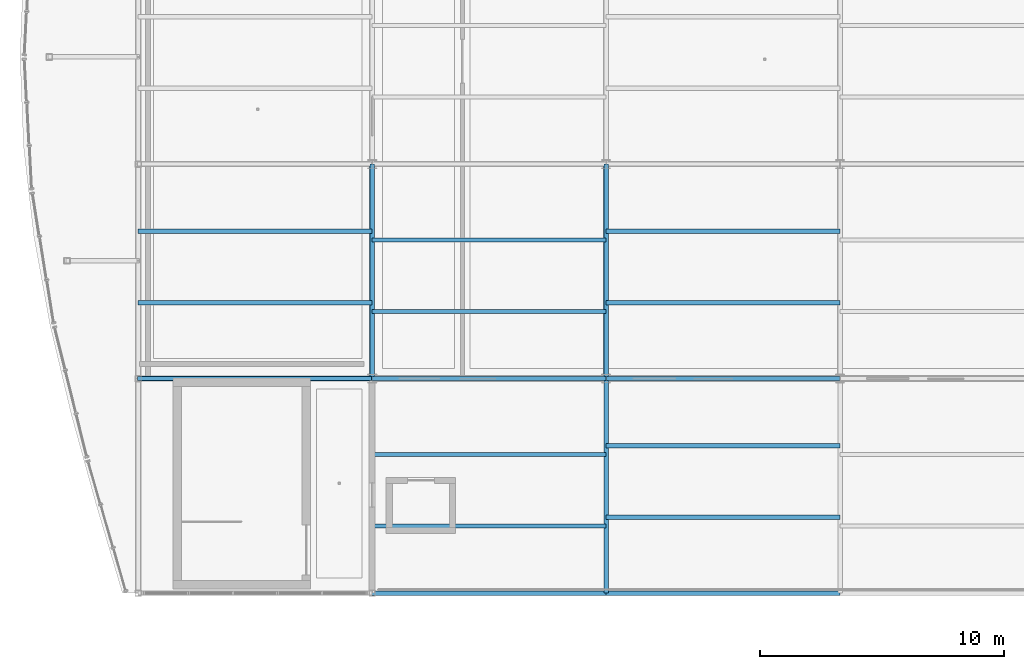
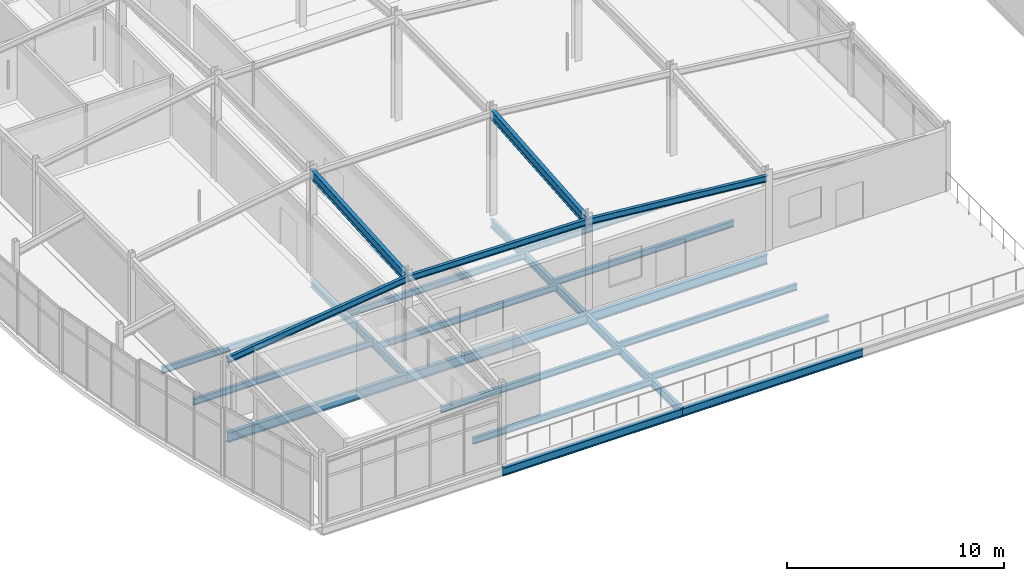
# One storey, part 18 of 114: 20 beams, 3 members.
"""IFC4 building model written with IfcOpenShell, lengths in metres."""

from ifc_helpers import new_model, si_unit, direction, frame, origin, origin_2d, place, context, subcontext, project, spatial, i_section, extrude, material, material_profile, profile_set, type_object, element, save


model = new_model("IFC4")

# Units and contexts
model_context = context("Model", 3, precision=1e-05, world=origin(), true_north=direction((0.0, 1.0)))
body_context = subcontext(model_context, "Body", "Model", "MODEL_VIEW")
ifc_project = project(units=[si_unit("LENGTHUNIT", "METRE"), si_unit("AREAUNIT", "SQUARE_METRE"), si_unit("VOLUMEUNIT", "CUBIC_METRE"), si_unit("PLANEANGLEUNIT", "RADIAN"), si_unit("MASSUNIT", "GRAM", prefix="KILO")], contexts=[model_context])

# Site, building, storey
site_placement = place(None, origin())
site = spatial("IfcSite", under=ifc_project, at=site_placement, CompositionType="ELEMENT")
building_placement = place(site_placement, origin())
building = spatial("IfcBuilding", under=site, at=building_placement, Name="Chalmorin Arch Market", CompositionType="ELEMENT")
storey_placement = place(building_placement, frame((0.0, 0.0, 9.60009765625)))
storey = spatial("IfcBuildingStorey", under=building, at=storey_placement, Name="L02", CompositionType="ELEMENT", Elevation=9.60009765625)

# Beams
ifc_material = material(Name="Steel A992 Grade 50", Category="steel")
ifc_material_profile_1 = material_profile(ifc_material, i_section(OverallWidth=0.19091796875, OverallDepth=0.45703125, WebThickness=0.009033203125, FlangeThickness=0.014404296875, FilletRadius=0.02001953125, at=origin_2d()), Name="W18X50")
ifc_profile_set_1 = profile_set([ifc_material_profile_1], Name="Steel A992 Grade 50")
beam_type_1 = type_object("IfcBeamType", Name="FloorSteelBeam-W18X50", PredefinedType="BEAM", material=ifc_profile_set_1)
for number, where, z_axis, x_axis, name in (
    (1, (9.60009765625, 14.800048828125, -0.490478515625), (0.0, 1.0, 0.0), (-1.0, 0.0, 0.0), "BM-W18B-1140"),
    (2, (19.199951171875, 6.0, -0.490478515625), (0.0, 1.0, 0.0), (-1.0, 0.0, 0.0), "BM-W18B-1152"),
    (3, (19.199951171875, 14.800048828125, -0.490478515625), (0.0, 1.0, 0.0), (-1.0, 0.0, 0.0), "BM-W18B-1154"),
):
    element("IfcBeam", number, at=place(storey_placement, frame(where, z_axis=z_axis, x_axis=x_axis)), inside=storey, type_object=beam_type_1, Name=name, PredefinedType="BEAM", context=body_context, shape_type="SweptSolid", body=[
        extrude(i_section(OverallWidth=0.19091796875, OverallDepth=0.45703125, WebThickness=0.009033203125, FlangeThickness=0.014404296875, FilletRadius=0.02001953125, at=origin_2d()), origin(), (0.0, 0.0, 1.0), 8.800048828125),
    ])
ifc_material_profile_2 = material_profile(ifc_material, i_section(OverallWidth=0.19091796875, OverallDepth=0.45703125, WebThickness=0.009033203125, FlangeThickness=0.014404296875, FilletRadius=0.02001953125, at=origin_2d()), Name="W18X50")
ifc_profile_set_2 = profile_set([ifc_material_profile_2], Name="Steel A992 Grade 50")
beam_type_2 = type_object("IfcBeamType", Name="PerimeterSpandrelBeam-W18X50", PredefinedType="SPANDREL", material=ifc_profile_set_2)
beam_1_placement = place(storey_placement, frame((9.60009765625, 6.0, -0.490478515625), z_axis=(1.0, 0.0, 0.0), x_axis=(0.0, 1.0, 0.0)))
element("IfcBeam", 4, at=beam_1_placement, inside=storey, type_object=beam_type_2, Name="SP-W18-1150", PredefinedType="SPANDREL", context=body_context, shape_type="SweptSolid", body=[
    extrude(i_section(OverallWidth=0.19091796875, OverallDepth=0.45703125, WebThickness=0.009033203125, FlangeThickness=0.014404296875, FilletRadius=0.02001953125, at=origin_2d()), origin(), (0.0, 0.0, 1.0), 9.599853515625),
])
beam_2_placement = place(storey_placement, frame((19.199951171875, 6.0, -0.490478515625), z_axis=(1.0, 0.0, 0.0), x_axis=(0.0, 1.0, 0.0)))
element("IfcBeam", 5, at=beam_2_placement, inside=storey, type_object=beam_type_2, Name="SP-W18-1161", PredefinedType="SPANDREL", context=body_context, shape_type="SweptSolid", body=[
    extrude(i_section(OverallWidth=0.19091796875, OverallDepth=0.45703125, WebThickness=0.009033203125, FlangeThickness=0.014404296875, FilletRadius=0.02001953125, at=origin_2d()), origin(), (0.0, 0.0, 1.0), 9.60009765625),
])
ifc_material_profile_3 = material_profile(ifc_material, i_section(OverallWidth=0.208984375, OverallDepth=0.532958984375, WebThickness=0.01025390625, FlangeThickness=0.015625, FilletRadius=0.02197265625, at=origin_2d()), Name="W21X62")
ifc_profile_set_3 = profile_set([ifc_material_profile_3], Name="Steel A992 Grade 50")
beam_type_3 = type_object("IfcBeamType", Name="PrimarySteelGirder-W21X62", PredefinedType="BEAM", material=ifc_profile_set_3)
beam_3_placement = place(storey_placement, frame((9.60009765625, 14.800048828125, 5.0888671875), z_axis=(0.0, 0.997774120611, 0.066684362784), x_axis=(-1.0, 0.0, 0.0)))
element("IfcBeam", 6, at=beam_3_placement, inside=storey, type_object=beam_type_3, Name="BG-W21B-1529", PredefinedType="BEAM", context=body_context, shape_type="SweptSolid", body=[
    extrude(i_section(OverallWidth=0.208984375, OverallDepth=0.532958984375, WebThickness=0.01025390625, FlangeThickness=0.015625, FilletRadius=0.02197265625, at=origin_2d()), origin(), (0.0, 0.0, 1.0), 8.819580078125),
])
beam_4_placement = place(storey_placement, frame((19.199951171875, 14.800048828125, 4.94482421875), z_axis=(0.0, 0.99652915028, 0.083244535206), x_axis=(-1.0, 0.0, 0.0)))
element("IfcBeam", 7, at=beam_4_placement, inside=storey, type_object=beam_type_3, Name="BG-W21B-1533", PredefinedType="BEAM", context=body_context, shape_type="SweptSolid", body=[
    extrude(i_section(OverallWidth=0.208984375, OverallDepth=0.532958984375, WebThickness=0.01025390625, FlangeThickness=0.015625, FilletRadius=0.02197265625, at=origin_2d()), origin(), (0.0, 0.0, 1.0), 8.830810546875),
])
ifc_material_profile_4 = material_profile(ifc_material, i_section(OverallWidth=0.2119140625, OverallDepth=0.5439453125, WebThickness=0.01318359375, FlangeThickness=0.021240234375, FilletRadius=0.02197265625, at=origin_2d()), Name="W21X83")
ifc_profile_set_4 = profile_set([ifc_material_profile_4], Name="Steel A992 Grade 50")
beam_type_4 = type_object("IfcBeamType", Name="PrimarySteelGirder-W21X83", PredefinedType="BEAM", material=ifc_profile_set_4)
beam_5_placement = place(storey_placement, frame((0.0, 14.800048828125, -0.5341796875), z_axis=(1.0, 0.0, 0.0), x_axis=(0.0, 1.0, 0.0)))
element("IfcBeam", 8, at=beam_5_placement, inside=storey, type_object=beam_type_4, Name="BG-W21A-1135", PredefinedType="BEAM", context=body_context, shape_type="SweptSolid", body=[
    extrude(i_section(OverallWidth=0.2119140625, OverallDepth=0.5439453125, WebThickness=0.01318359375, FlangeThickness=0.021240234375, FilletRadius=0.02197265625, at=origin_2d()), origin(), (0.0, 0.0, 1.0), 9.60009765625),
])
beam_6_placement = place(storey_placement, frame((9.60009765625, 14.800048828125, -0.5341796875), z_axis=(1.0, 0.0, 0.0), x_axis=(0.0, 1.0, 0.0)))
element("IfcBeam", 9, at=beam_6_placement, inside=storey, type_object=beam_type_4, Name="BG-W21A-1151", PredefinedType="BEAM", context=body_context, shape_type="SweptSolid", body=[
    extrude(i_section(OverallWidth=0.2119140625, OverallDepth=0.5439453125, WebThickness=0.01318359375, FlangeThickness=0.021240234375, FilletRadius=0.02197265625, at=origin_2d()), origin(), (0.0, 0.0, 1.0), 9.599853515625),
])
beam_7_placement = place(storey_placement, frame((19.199951171875, 14.800048828125, -0.5341796875), z_axis=(1.0, 0.0, 0.0), x_axis=(0.0, 1.0, 0.0)))
element("IfcBeam", 10, at=beam_7_placement, inside=storey, type_object=beam_type_4, Name="BG-W21A-1162", PredefinedType="BEAM", context=body_context, shape_type="SweptSolid", body=[
    extrude(i_section(OverallWidth=0.2119140625, OverallDepth=0.5439453125, WebThickness=0.01318359375, FlangeThickness=0.021240234375, FilletRadius=0.02197265625, at=origin_2d()), origin(), (0.0, 0.0, 1.0), 9.60009765625),
])

# Members
ifc_material_profile_5 = material_profile(ifc_material, i_section(OverallWidth=0.1708984375, OverallDepth=0.35107421875, WebThickness=0.0068359375, FlangeThickness=0.009765625, FilletRadius=0.014892578125, at=origin_2d()), Name="W14X30")
ifc_profile_set_5 = profile_set([ifc_material_profile_5], Name="Steel A992 Grade 50")
member_type = type_object("IfcMemberType", Name="RoofSteelPurlin-W14X30", PredefinedType="PURLIN", material=ifc_profile_set_5)
member_1_placement = place(storey_placement, frame((0.0, 14.800048828125, 3.81689453125), z_axis=(0.991866647246, 0.0, 0.127281397233), x_axis=(0.0, 1.0, 0.0)))
element("IfcMember", 11, at=member_1_placement, inside=storey, type_object=member_type, Name="PR-W14-0016", PredefinedType="PURLIN", context=body_context, shape_type="SweptSolid", body=[
    extrude(i_section(OverallWidth=0.1708984375, OverallDepth=0.35107421875, WebThickness=0.0068359375, FlangeThickness=0.009765625, FilletRadius=0.014892578125, at=origin_2d()), origin(), (0.0, 0.0, 1.0), 9.6787109375),
])
member_2_placement = place(storey_placement, frame((9.60009765625, 14.800048828125, 5.048828125), z_axis=(0.999887448421, 0.0, -0.015003016062), x_axis=(0.0, 1.0, 0.0)))
element("IfcMember", 12, at=member_2_placement, inside=storey, type_object=member_type, Name="PR-W14-0017", PredefinedType="PURLIN", context=body_context, shape_type="SweptSolid", body=[
    extrude(i_section(OverallWidth=0.1708984375, OverallDepth=0.35107421875, WebThickness=0.0068359375, FlangeThickness=0.009765625, FilletRadius=0.014892578125, at=origin_2d()), origin(), (0.0, 0.0, 1.0), 9.600830078125),
])
member_3_placement = place(storey_placement, frame((19.199951171875, 14.800048828125, 4.90478515625), z_axis=(0.995519222289, 0.0, -0.094559389025), x_axis=(0.0, 1.0, 0.0)))
element("IfcMember", 13, at=member_3_placement, inside=storey, type_object=member_type, Name="PR-W14-0018", PredefinedType="PURLIN", context=body_context, shape_type="SweptSolid", body=[
    extrude(i_section(OverallWidth=0.1708984375, OverallDepth=0.35107421875, WebThickness=0.0068359375, FlangeThickness=0.009765625, FilletRadius=0.014892578125, at=origin_2d()), origin(), (0.0, 0.0, 1.0), 9.643310546875),
])

# Beams
ifc_material_profile_6 = material_profile(ifc_material, i_section(OverallWidth=0.1708984375, OverallDepth=0.35107421875, WebThickness=0.0068359375, FlangeThickness=0.009765625, FilletRadius=0.014892578125, at=origin_2d()), Name="W14X30")
ifc_profile_set_6 = profile_set([ifc_material_profile_6], Name="Steel A992 Grade 50")
beam_type_5 = type_object("IfcBeamType", Name="SecondaryFloorJoist-W14X30", PredefinedType="JOIST", material=ifc_profile_set_6)
for number, where, z_axis, x_axis, name in (
    (14, (0.0, 17.913330078125, -0.427490234375), (1.0, 0.0, 0.0), (0.0, 1.0, 0.0), "BJ-W14-1183"),
    (15, (0.0, 20.8466796875, -0.427490234375), (1.0, 0.0, 0.0), (0.0, 1.0, 0.0), "BJ-W14-1184"),
):
    element("IfcBeam", number, at=place(storey_placement, frame(where, z_axis=z_axis, x_axis=x_axis)), inside=storey, type_object=beam_type_5, Name=name, PredefinedType="JOIST", context=body_context, shape_type="SweptSolid", body=[
        extrude(i_section(OverallWidth=0.1708984375, OverallDepth=0.35107421875, WebThickness=0.0068359375, FlangeThickness=0.009765625, FilletRadius=0.014892578125, at=origin_2d()), origin(), (0.0, 0.0, 1.0), 9.60009765625),
    ])
for number, where, z_axis, x_axis, name in (
    (16, (9.60009765625, 8.75341796875, -0.4375), (1.0, 0.0, 0.0), (0.0, 1.0, 0.0), "BJ-W14-1191"),
    (17, (9.60009765625, 11.686767578125, -0.4375), (1.0, 0.0, 0.0), (0.0, 1.0, 0.0), "BJ-W14-1192"),
    (18, (9.60009765625, 17.55322265625, -0.427490234375), (1.0, 0.0, 0.0), (0.0, 1.0, 0.0), "BJ-W14-1193"),
    (19, (9.60009765625, 20.48681640625, -0.427490234375), (1.0, 0.0, 0.0), (0.0, 1.0, 0.0), "BJ-W14-1194"),
):
    element("IfcBeam", number, at=place(storey_placement, frame(where, z_axis=z_axis, x_axis=x_axis)), inside=storey, type_object=beam_type_5, Name=name, PredefinedType="JOIST", context=body_context, shape_type="SweptSolid", body=[
        extrude(i_section(OverallWidth=0.1708984375, OverallDepth=0.35107421875, WebThickness=0.0068359375, FlangeThickness=0.009765625, FilletRadius=0.014892578125, at=origin_2d()), origin(), (0.0, 0.0, 1.0), 9.599853515625),
    ])
for number, where, z_axis, x_axis, name in (
    (20, (19.199951171875, 9.11328125, -0.4375), (1.0, 0.0, 0.0), (0.0, 1.0, 0.0), "BJ-W14-1201"),
    (21, (19.199951171875, 12.046630859375, -0.4375), (1.0, 0.0, 0.0), (0.0, 1.0, 0.0), "BJ-W14-1202"),
    (22, (19.199951171875, 17.913330078125, -0.427490234375), (1.0, 0.0, 0.0), (0.0, 1.0, 0.0), "BJ-W14-1203"),
    (23, (19.199951171875, 20.8466796875, -0.427490234375), (1.0, 0.0, 0.0), (0.0, 1.0, 0.0), "BJ-W14-1204"),
):
    element("IfcBeam", number, at=place(storey_placement, frame(where, z_axis=z_axis, x_axis=x_axis)), inside=storey, type_object=beam_type_5, Name=name, PredefinedType="JOIST", context=body_context, shape_type="SweptSolid", body=[
        extrude(i_section(OverallWidth=0.1708984375, OverallDepth=0.35107421875, WebThickness=0.0068359375, FlangeThickness=0.009765625, FilletRadius=0.014892578125, at=origin_2d()), origin(), (0.0, 0.0, 1.0), 9.60009765625),
    ])

save(model, "model.ifc")
